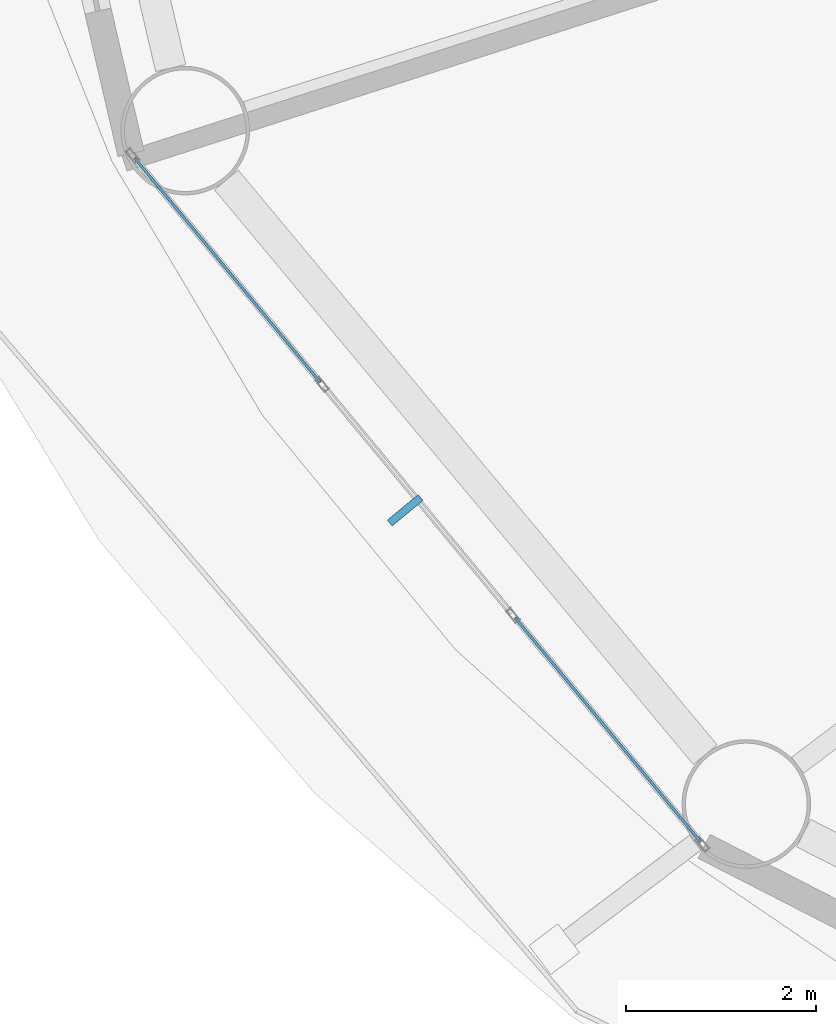
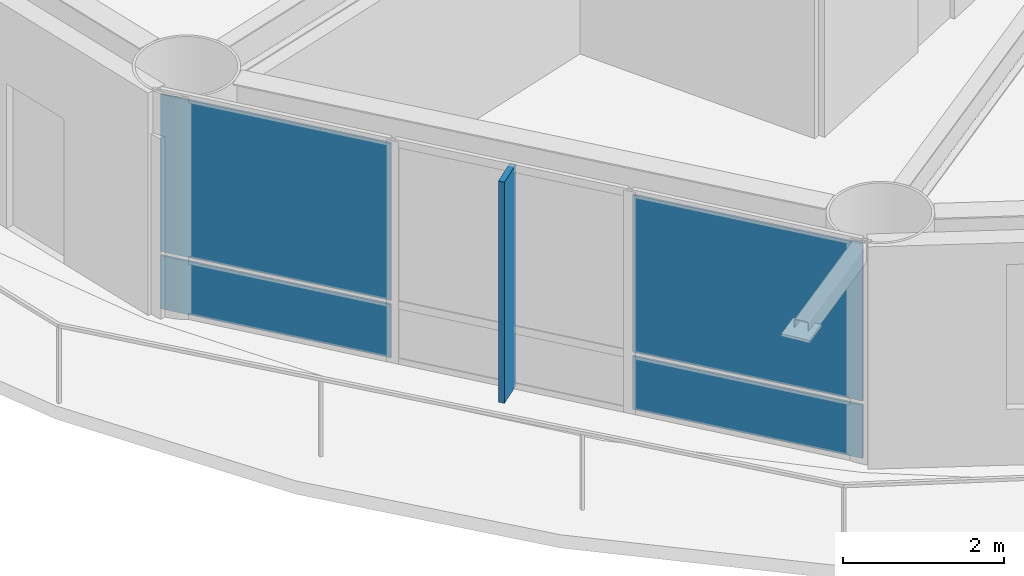
# One storey, part 14 of 24: 5 plates, 1 element without a shape of its own.
"""IFC4 building model written with IfcOpenShell, lengths in metres."""

from ifc_helpers import new_model, si_unit, direction, frame, origin, origin_2d, place, context, subcontext, project, spatial, rectangle, extrude, material, layer, layer_set, type_object, element, aggregate, save


model = new_model("IFC4")

# Units and contexts
model_context = context("Model", 3, precision=1e-05, world=origin(), true_north=direction((0.0, 1.0)))
body_context = subcontext(model_context, "Body", "Model", "MODEL_VIEW")
ifc_project = project(units=[si_unit("LENGTHUNIT", "METRE"), si_unit("AREAUNIT", "SQUARE_METRE"), si_unit("VOLUMEUNIT", "CUBIC_METRE"), si_unit("PLANEANGLEUNIT", "RADIAN"), si_unit("MASSUNIT", "GRAM", prefix="KILO")], contexts=[model_context])

# Site, building, storey
site_placement = place(None, origin())
site = spatial("IfcSite", under=ifc_project, at=site_placement, CompositionType="ELEMENT")
building_placement = place(site_placement, origin())
building = spatial("IfcBuilding", under=site, at=building_placement, Name="Sarneth Arch Tower", CompositionType="ELEMENT")
storey_placement = place(building_placement, frame((0.0, 0.0, 87.60009765625)))
storey = spatial("IfcBuildingStorey", under=building, at=storey_placement, Name="L21", CompositionType="ELEMENT", Elevation=87.60009765625)

# Curtain wall, plates
ifc_material_1 = material(Name="Anodised aluminium Type AA25 and solar-control low-e laminated IGU", Category="aluminium")
ifc_layer_1 = layer(ifc_material_1, 0.159912109375)
ifc_layer_set_1 = layer_set([ifc_layer_1], Name="Anodised aluminium Type AA25 and solar-control low-e laminated IGU")
curtain_wall_type = type_object("IfcCurtainWallType", Name="CW-HOTEL-MID", PredefinedType="NOTDEFINED", material=ifc_layer_set_1)
curtain_wall_placement = place(storey_placement, origin())
curtain_wall = element("IfcCurtainWall", 1, at=curtain_wall_placement, inside=storey, type_object=curtain_wall_type, Name="L21 Unitised curtain wall facet 10", PredefinedType="NOTDEFINED")
ifc_material_2 = material(Name="Solar-control low-e laminated IGU", Category="glass")
ifc_layer_2 = layer(ifc_material_2, 0.028076171875)
ifc_layer_set_2 = layer_set([ifc_layer_2], Name="Solar-control low-e laminated IGU")
plate_type_1 = type_object("IfcPlateType", Name="CW-PANEL", PredefinedType="CURTAIN_PANEL", material=ifc_layer_set_2)
plate_1_placement = place(storey_placement, frame((22.15185546875, 32.192138671875, 0.059814453125), z_axis=(0.0, 0.0, 1.0), x_axis=(0.637515188684, -0.770437787363, 0.0)))
plate_1 = element("IfcPlate", 2, at=plate_1_placement, type_object=plate_type_1, Name="Curtain wall glazed vision pane CW-L21-F10/P00-00", PredefinedType="CURTAIN_PANEL", context=body_context, shape_type="SweptSolid", body=[
    extrude(rectangle(XDim=3.058349609375, YDim=0.028076171875, at=origin_2d()), origin(), (0.0, 0.0, 1.0), 0.81005859375),
])
plate_2_placement = place(storey_placement, frame((22.15185546875, 32.192138671875, 0.93017578125), z_axis=(0.0, 0.0, 1.0), x_axis=(0.637515188684, -0.770437787363, 0.0)))
plate_2 = element("IfcPlate", 3, at=plate_2_placement, type_object=plate_type_1, Name="Curtain wall glazed vision pane CW-L21-F10/P00-01", PredefinedType="CURTAIN_PANEL", context=body_context, shape_type="SweptSolid", body=[
    extrude(rectangle(XDim=3.058349609375, YDim=0.028076171875, at=origin_2d()), origin(), (0.0, 0.0, 1.0), 2.389892578125),
])
plate_3_placement = place(storey_placement, frame((26.14697265625, 27.364013671875, 0.059814453125), z_axis=(0.0, 0.0, 1.0), x_axis=(0.637515188684, -0.770437787363, 0.0)))
plate_3 = element("IfcPlate", 4, at=plate_3_placement, type_object=plate_type_1, Name="Curtain wall glazed vision pane CW-L21-F10/P02-00", PredefinedType="CURTAIN_PANEL", context=body_context, shape_type="SweptSolid", body=[
    extrude(rectangle(XDim=3.058349609375, YDim=0.028076171875, at=origin_2d()), origin(), (0.0, 0.0, 1.0), 0.81005859375),
])
plate_4_placement = place(storey_placement, frame((26.14697265625, 27.364013671875, 0.93017578125), z_axis=(0.0, 0.0, 1.0), x_axis=(0.637515188684, -0.770437787363, 0.0)))
plate_4 = element("IfcPlate", 5, at=plate_4_placement, type_object=plate_type_1, Name="Curtain wall glazed vision pane CW-L21-F10/P02-01", PredefinedType="CURTAIN_PANEL", context=body_context, shape_type="SweptSolid", body=[
    extrude(rectangle(XDim=3.058349609375, YDim=0.028076171875, at=origin_2d()), origin(), (0.0, 0.0, 1.0), 2.389892578125),
])
aggregate(curtain_wall, [plate_1, plate_2, plate_3, plate_4])

# Plate
ifc_material_3 = material(Name="Extruded glazed terracotta baguette fin on Aluminium 6063-T6 carrier", Category="masonry")
ifc_layer_3 = layer(ifc_material_3, 0.080078125)
ifc_layer_set_3 = layer_set([ifc_layer_3], Name="Extruded glazed terracotta baguette fin on Aluminium 6063-T6 carrier")
plate_type_2 = type_object("IfcPlateType", Name="SHADE-TERRA-FIN", PredefinedType="SHEET", material=ifc_layer_set_3)
plate_5_placement = place(storey_placement, frame((24.018310546875, 29.669677734375, 0.009765625), z_axis=(0.0, 0.0, 1.0), x_axis=(-0.770401979567, -0.63755845997, 0.0)))
element("IfcPlate", 6, at=plate_5_placement, inside=storey, type_object=plate_type_2, Name="L21 Terracotta vertical shading fin 10", PredefinedType="SHEET", context=body_context, shape_type="SweptSolid", body=[
    extrude(rectangle(XDim=0.419921875, YDim=0.080078125, at=origin_2d()), origin(), (0.0, 0.0, 1.0), 3.360107421875),
])

save(model, "model.ifc")
